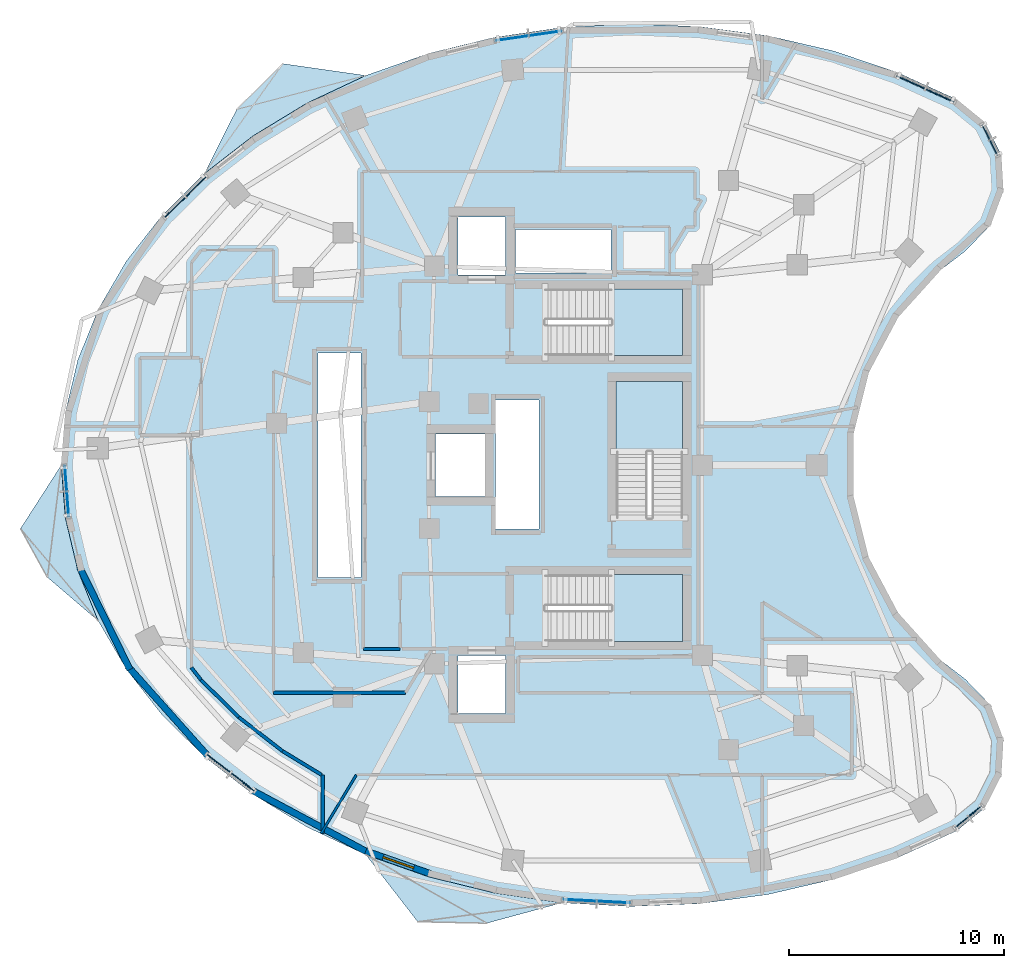
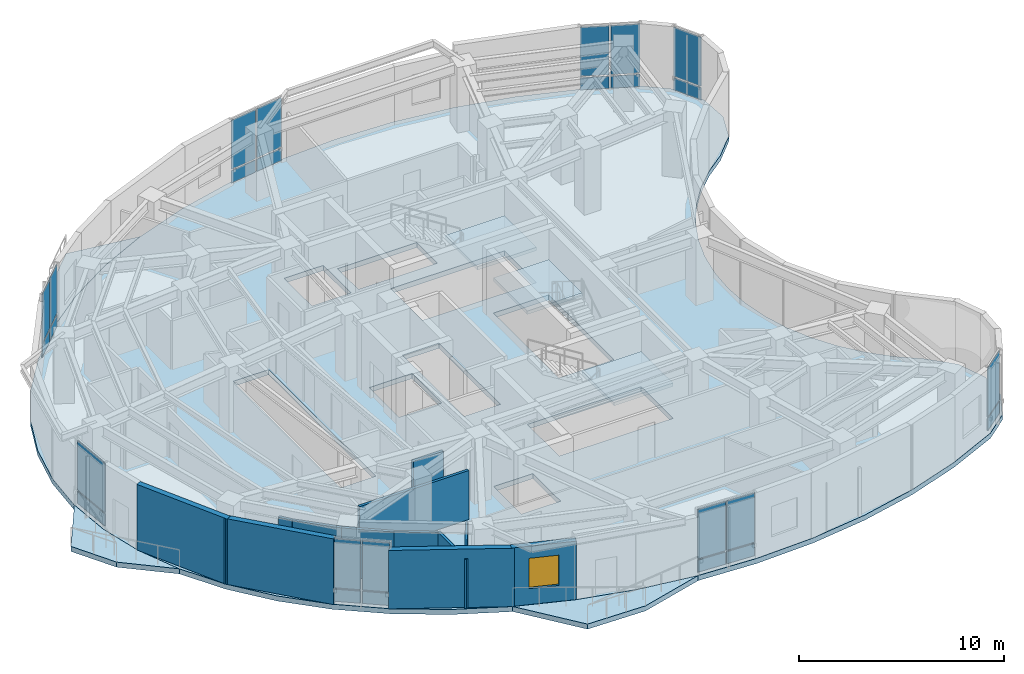
# One storey, part 6 of 13: 26 plates, 12 walls, 7 slabs, 1 window, 1 opening, 11 elements without a shape of their own.
"""IFC4 building model written with IfcOpenShell, lengths in metres."""

from ifc_helpers import new_model, si_unit, direction, frame, frame_2d, origin, origin_2d, place, context, subcontext, project, spatial, polyline, rectangle, outline, extrude, material, layer, layer_set, type_object, element, fill, aggregate, save


model = new_model("IFC4")

# Units and contexts
model_context = context("Model", 3, precision=1e-05, world=origin(), true_north=direction((0.0, 1.0)))
body_context = subcontext(model_context, "Body", "Model", "MODEL_VIEW")
ifc_project = project(units=[si_unit("LENGTHUNIT", "METRE"), si_unit("AREAUNIT", "SQUARE_METRE"), si_unit("VOLUMEUNIT", "CUBIC_METRE"), si_unit("PLANEANGLEUNIT", "RADIAN"), si_unit("MASSUNIT", "GRAM", prefix="KILO")], contexts=[model_context])

# Site, building, storey
site_placement = place(None, origin())
site = spatial("IfcSite", under=ifc_project, at=site_placement, CompositionType="ELEMENT")
building_placement = place(site_placement, origin())
building = spatial("IfcBuilding", under=site, at=building_placement, Name="Korentha Bioscience Tower", CompositionType="ELEMENT")
storey_placement = place(building_placement, frame((0.0, 0.0, 192.0)))
storey = spatial("IfcBuildingStorey", under=building, at=storey_placement, Name="L44", CompositionType="ELEMENT", Elevation=192.0)

# Curtain wall, plates
ifc_material_1 = material(Name="Thermally Broken Aluminium Frame", Category="aluminium")
ifc_layer_1 = layer(ifc_material_1, 0.219970703125, Name="Thermally Broken Aluminium Frame")
ifc_layer_set_1 = layer_set([ifc_layer_1], Name="Thermally Broken Aluminium Frame (CW-T2)")
curtain_wall_type = type_object("IfcCurtainWallType", Name="Solar-Screened Lab Unitised Curtain Wall CW-T2", PredefinedType="USERDEFINED", material=ifc_layer_set_1)
curtain_wall_1_placement = place(storey_placement, origin())
curtain_wall_1 = element("IfcCurtainWall", 1, at=curtain_wall_1_placement, inside=storey, type_object=curtain_wall_type, Name="L44 Curtain Wall 01", ObjectType="UNITISED", PredefinedType="USERDEFINED")
ifc_material_2 = material(Name="Triple-Glazed Low-E Insulated Glass", Category="glass")
ifc_layer_2 = layer(ifc_material_2, 0.0439453125, Name="Triple-Glazed Low-E Insulated Glass")
ifc_layer_set_2 = layer_set([ifc_layer_2], Name="Triple-Glazed Low-E Insulated Glass (GL-44)")
plate_type = type_object("IfcPlateType", Name="Glazed Panel 44mm", PredefinedType="CURTAIN_PANEL", material=ifc_layer_set_2)
plate_1_placement = place(storey_placement, frame((48.625732421875, 44.190673828125, 0.08984375), z_axis=(0.0, 0.0, 1.0), x_axis=(-0.910644398392, 0.413190972406, 0.0)))
plate_1 = element("IfcPlate", 2, at=plate_1_placement, type_object=plate_type, Name="CW-L44-01 Bay 1 Glazed Panel 1", PredefinedType="CURTAIN_PANEL", context=body_context, shape_type="SweptSolid", body=[
    extrude(rectangle(XDim=1.422607421875, YDim=0.0439453125, at=origin_2d()), origin(), (0.0, 0.0, 1.0), 0.715087890625),
])
plate_2_placement = place(storey_placement, frame((48.625732421875, 44.190673828125, 0.89501953125), z_axis=(0.0, 0.0, 1.0), x_axis=(-0.910644398392, 0.413190972406, 0.0)))
plate_2 = element("IfcPlate", 3, at=plate_2_placement, type_object=plate_type, Name="CW-L44-01 Bay 1 Glazed Panel 2", PredefinedType="CURTAIN_PANEL", context=body_context, shape_type="SweptSolid", body=[
    extrude(rectangle(XDim=1.422607421875, YDim=0.0439453125, at=origin_2d()), origin(), (0.0, 0.0, 1.0), 2.9150390625),
])
plate_3_placement = place(storey_placement, frame((47.248291015625, 44.815673828125, 0.08984375), z_axis=(0.0, 0.0, 1.0), x_axis=(-0.910644398392, 0.413190972406, 0.0)))
plate_3 = element("IfcPlate", 4, at=plate_3_placement, type_object=plate_type, Name="CW-L44-01 Bay 2 Glazed Panel 1", PredefinedType="CURTAIN_PANEL", context=body_context, shape_type="SweptSolid", body=[
    extrude(rectangle(XDim=1.422607421875, YDim=0.0439453125, at=origin_2d()), origin(), (0.0, 0.0, 1.0), 0.715087890625),
])
plate_4_placement = place(storey_placement, frame((47.248291015625, 44.815673828125, 0.89501953125), z_axis=(0.0, 0.0, 1.0), x_axis=(-0.910644398392, 0.413190972406, 0.0)))
plate_4 = element("IfcPlate", 5, at=plate_4_placement, type_object=plate_type, Name="CW-L44-01 Bay 2 Glazed Panel 2", PredefinedType="CURTAIN_PANEL", context=body_context, shape_type="SweptSolid", body=[
    extrude(rectangle(XDim=1.422607421875, YDim=0.0439453125, at=origin_2d()), origin(), (0.0, 0.0, 1.0), 2.9150390625),
])
aggregate(curtain_wall_1, [plate_1, plate_2, plate_3, plate_4])

curtain_wall_2_placement = place(storey_placement, origin())
curtain_wall_2 = element("IfcCurtainWall", 6, at=curtain_wall_2_placement, inside=storey, type_object=curtain_wall_type, Name="L44 Curtain Wall 07", ObjectType="UNITISED", PredefinedType="USERDEFINED")
plate_5_placement = place(storey_placement, frame((30.27099609375, 47.090087890625, 0.08984375), z_axis=(0.0, 0.0, 1.0), x_axis=(-0.989461919888, -0.144793332342, 0.0)))
plate_5 = element("IfcPlate", 7, at=plate_5_placement, type_object=plate_type, Name="CW-L44-07 Bay 1 Glazed Panel 1", PredefinedType="CURTAIN_PANEL", context=body_context, shape_type="SweptSolid", body=[
    extrude(rectangle(XDim=1.498291015625, YDim=0.0439453125, at=origin_2d()), origin(), (0.0, 0.0, 1.0), 0.715087890625),
])
plate_6_placement = place(storey_placement, frame((30.27099609375, 47.090087890625, 0.89501953125), z_axis=(0.0, 0.0, 1.0), x_axis=(-0.989461919888, -0.144793332342, 0.0)))
plate_6 = element("IfcPlate", 8, at=plate_6_placement, type_object=plate_type, Name="CW-L44-07 Bay 1 Glazed Panel 2", PredefinedType="CURTAIN_PANEL", context=body_context, shape_type="SweptSolid", body=[
    extrude(rectangle(XDim=1.498291015625, YDim=0.0439453125, at=origin_2d()), origin(), (0.0, 0.0, 1.0), 2.9150390625),
])
plate_7_placement = place(storey_placement, frame((28.69921875, 46.860107421875, 0.08984375), z_axis=(0.0, 0.0, 1.0), x_axis=(-0.989461919888, -0.144793332342, 0.0)))
plate_7 = element("IfcPlate", 9, at=plate_7_placement, type_object=plate_type, Name="CW-L44-07 Bay 2 Glazed Panel 1", PredefinedType="CURTAIN_PANEL", context=body_context, shape_type="SweptSolid", body=[
    extrude(rectangle(XDim=1.498291015625, YDim=0.0439453125, at=origin_2d()), origin(), (0.0, 0.0, 1.0), 0.715087890625),
])
plate_8_placement = place(storey_placement, frame((28.69921875, 46.860107421875, 0.89501953125), z_axis=(0.0, 0.0, 1.0), x_axis=(-0.989461919888, -0.144793332342, 0.0)))
plate_8 = element("IfcPlate", 10, at=plate_8_placement, type_object=plate_type, Name="CW-L44-07 Bay 2 Glazed Panel 2", PredefinedType="CURTAIN_PANEL", context=body_context, shape_type="SweptSolid", body=[
    extrude(rectangle(XDim=1.498291015625, YDim=0.0439453125, at=origin_2d()), origin(), (0.0, 0.0, 1.0), 2.9150390625),
])
aggregate(curtain_wall_2, [plate_5, plate_6, plate_7, plate_8])

curtain_wall_3_placement = place(storey_placement, origin())
curtain_wall_3 = element("IfcCurtainWall", 11, at=curtain_wall_3_placement, inside=storey, type_object=curtain_wall_type, Name="L44 Curtain Wall 13", ObjectType="UNITISED", PredefinedType="USERDEFINED")
plate_9_placement = place(storey_placement, frame((14.00830078125, 39.957763671875, 0.08984375), z_axis=(0.0, 0.0, 1.0), x_axis=(-0.711460557971, -0.702726030862, 0.0)))
plate_9 = element("IfcPlate", 12, at=plate_9_placement, type_object=plate_type, Name="CW-L44-13 Bay 1 Glazed Panel 1", PredefinedType="CURTAIN_PANEL", context=body_context, shape_type="SweptSolid", body=[
    extrude(rectangle(XDim=1.290283203125, YDim=0.0439453125, at=origin_2d()), origin(), (0.0, 0.0, 1.0), 0.715087890625),
])
plate_10_placement = place(storey_placement, frame((14.00830078125, 39.957763671875, 0.89501953125), z_axis=(0.0, 0.0, 1.0), x_axis=(-0.711460557971, -0.702726030862, 0.0)))
plate_10 = element("IfcPlate", 13, at=plate_10_placement, type_object=plate_type, Name="CW-L44-13 Bay 1 Glazed Panel 2", PredefinedType="CURTAIN_PANEL", context=body_context, shape_type="SweptSolid", body=[
    extrude(rectangle(XDim=1.290283203125, YDim=0.0439453125, at=origin_2d()), origin(), (0.0, 0.0, 1.0), 2.9150390625),
])
plate_11_placement = place(storey_placement, frame((13.0263671875, 38.98779296875, 0.08984375), z_axis=(0.0, 0.0, 1.0), x_axis=(-0.711460557971, -0.702726030862, 0.0)))
plate_11 = element("IfcPlate", 14, at=plate_11_placement, type_object=plate_type, Name="CW-L44-13 Bay 2 Glazed Panel 1", PredefinedType="CURTAIN_PANEL", context=body_context, shape_type="SweptSolid", body=[
    extrude(rectangle(XDim=1.290283203125, YDim=0.0439453125, at=origin_2d()), origin(), (0.0, 0.0, 1.0), 0.715087890625),
])
plate_12_placement = place(storey_placement, frame((13.0263671875, 38.98779296875, 0.89501953125), z_axis=(0.0, 0.0, 1.0), x_axis=(-0.711460557971, -0.702726030862, 0.0)))
plate_12 = element("IfcPlate", 15, at=plate_12_placement, type_object=plate_type, Name="CW-L44-13 Bay 2 Glazed Panel 2", PredefinedType="CURTAIN_PANEL", context=body_context, shape_type="SweptSolid", body=[
    extrude(rectangle(XDim=1.290283203125, YDim=0.0439453125, at=origin_2d()), origin(), (0.0, 0.0, 1.0), 2.9150390625),
])
aggregate(curtain_wall_3, [plate_9, plate_10, plate_11, plate_12])

curtain_wall_4_placement = place(storey_placement, origin())
curtain_wall_4 = element("IfcCurtainWall", 16, at=curtain_wall_4_placement, inside=storey, type_object=curtain_wall_type, Name="L44 Curtain Wall 19", ObjectType="UNITISED", PredefinedType="USERDEFINED")
plate_13_placement = place(storey_placement, frame((7.991943359375, 25.781005859375, 0.08984375), z_axis=(0.0, 0.0, 1.0), x_axis=(0.078030772566, -0.996950950916, 0.0)))
plate_13 = element("IfcPlate", 17, at=plate_13_placement, type_object=plate_type, Name="CW-L44-19 Bay 1 Glazed Panel 1", PredefinedType="CURTAIN_PANEL", context=body_context, shape_type="SweptSolid", body=[
    extrude(rectangle(XDim=2.370361328125, YDim=0.0439453125, at=origin_2d()), origin(), (0.0, 0.0, 1.0), 0.715087890625),
])
plate_14_placement = place(storey_placement, frame((7.991943359375, 25.781005859375, 0.89501953125), z_axis=(0.0, 0.0, 1.0), x_axis=(0.078030772566, -0.996950950916, 0.0)))
plate_14 = element("IfcPlate", 18, at=plate_14_placement, type_object=plate_type, Name="CW-L44-19 Bay 1 Glazed Panel 2", PredefinedType="CURTAIN_PANEL", context=body_context, shape_type="SweptSolid", body=[
    extrude(rectangle(XDim=2.370361328125, YDim=0.0439453125, at=origin_2d()), origin(), (0.0, 0.0, 1.0), 2.9150390625),
])
aggregate(curtain_wall_4, [plate_13, plate_14])

curtain_wall_5_placement = place(storey_placement, origin())
curtain_wall_5 = element("IfcCurtainWall", 19, at=curtain_wall_5_placement, inside=storey, type_object=curtain_wall_type, Name="L44 Curtain Wall 25", ObjectType="UNITISED", PredefinedType="USERDEFINED")
plate_15_placement = place(storey_placement, frame((15.0556640625, 13.126953125, 0.08984375), z_axis=(0.0, 0.0, 1.0), x_axis=(0.790546796919, -0.612401634454, 0.0)))
plate_15 = element("IfcPlate", 20, at=plate_15_placement, type_object=plate_type, Name="CW-L44-25 Bay 1 Glazed Panel 1", PredefinedType="CURTAIN_PANEL", context=body_context, shape_type="SweptSolid", body=[
    extrude(rectangle(XDim=1.3349609375, YDim=0.0439453125, at=origin_2d()), origin(), (0.0, 0.0, 1.0), 0.715087890625),
])
plate_16_placement = place(storey_placement, frame((15.0556640625, 13.126953125, 0.89501953125), z_axis=(0.0, 0.0, 1.0), x_axis=(0.790546796919, -0.612401634454, 0.0)))
plate_16 = element("IfcPlate", 21, at=plate_16_placement, type_object=plate_type, Name="CW-L44-25 Bay 1 Glazed Panel 2", PredefinedType="CURTAIN_PANEL", context=body_context, shape_type="SweptSolid", body=[
    extrude(rectangle(XDim=1.3349609375, YDim=0.0439453125, at=origin_2d()), origin(), (0.0, 0.0, 1.0), 2.9150390625),
])
plate_17_placement = place(storey_placement, frame((16.18212890625, 12.25439453125, 0.08984375), z_axis=(0.0, 0.0, 1.0), x_axis=(0.790546796919, -0.612401634454, 0.0)))
plate_17 = element("IfcPlate", 22, at=plate_17_placement, type_object=plate_type, Name="CW-L44-25 Bay 2 Glazed Panel 1", PredefinedType="CURTAIN_PANEL", context=body_context, shape_type="SweptSolid", body=[
    extrude(rectangle(XDim=1.3349609375, YDim=0.0439453125, at=origin_2d()), origin(), (0.0, 0.0, 1.0), 0.715087890625),
])
plate_18_placement = place(storey_placement, frame((16.18212890625, 12.25439453125, 0.89501953125), z_axis=(0.0, 0.0, 1.0), x_axis=(0.790546796919, -0.612401634454, 0.0)))
plate_18 = element("IfcPlate", 23, at=plate_18_placement, type_object=plate_type, Name="CW-L44-25 Bay 2 Glazed Panel 2", PredefinedType="CURTAIN_PANEL", context=body_context, shape_type="SweptSolid", body=[
    extrude(rectangle(XDim=1.3349609375, YDim=0.0439453125, at=origin_2d()), origin(), (0.0, 0.0, 1.0), 2.9150390625),
])
aggregate(curtain_wall_5, [plate_15, plate_16, plate_17, plate_18])

curtain_wall_6_placement = place(storey_placement, origin())
curtain_wall_6 = element("IfcCurtainWall", 24, at=curtain_wall_6_placement, inside=storey, type_object=curtain_wall_type, Name="L44 Curtain Wall 31", ObjectType="UNITISED", PredefinedType="USERDEFINED")
plate_19_placement = place(storey_placement, frame((31.849853515625, 6.75390625, 0.08984375), z_axis=(0.0, 0.0, 1.0), x_axis=(0.998637677307, -0.052180355139, 0.0)))
plate_19 = element("IfcPlate", 25, at=plate_19_placement, type_object=plate_type, Name="CW-L44-31 Bay 1 Glazed Panel 1", PredefinedType="CURTAIN_PANEL", context=body_context, shape_type="SweptSolid", body=[
    extrude(rectangle(XDim=1.50830078125, YDim=0.0439453125, at=origin_2d()), origin(), (0.0, 0.0, 1.0), 0.715087890625),
])
plate_20_placement = place(storey_placement, frame((31.849853515625, 6.75390625, 0.89501953125), z_axis=(0.0, 0.0, 1.0), x_axis=(0.998637677307, -0.052180355139, 0.0)))
plate_20 = element("IfcPlate", 26, at=plate_20_placement, type_object=plate_type, Name="CW-L44-31 Bay 1 Glazed Panel 2", PredefinedType="CURTAIN_PANEL", context=body_context, shape_type="SweptSolid", body=[
    extrude(rectangle(XDim=1.50830078125, YDim=0.0439453125, at=origin_2d()), origin(), (0.0, 0.0, 1.0), 2.9150390625),
])
plate_21_placement = place(storey_placement, frame((33.446044921875, 6.67041015625, 0.08984375), z_axis=(0.0, 0.0, 1.0), x_axis=(0.998637677307, -0.052180355139, 0.0)))
plate_21 = element("IfcPlate", 27, at=plate_21_placement, type_object=plate_type, Name="CW-L44-31 Bay 2 Glazed Panel 1", PredefinedType="CURTAIN_PANEL", context=body_context, shape_type="SweptSolid", body=[
    extrude(rectangle(XDim=1.50830078125, YDim=0.0439453125, at=origin_2d()), origin(), (0.0, 0.0, 1.0), 0.715087890625),
])
plate_22_placement = place(storey_placement, frame((33.446044921875, 6.67041015625, 0.89501953125), z_axis=(0.0, 0.0, 1.0), x_axis=(0.998637677307, -0.052180355139, 0.0)))
plate_22 = element("IfcPlate", 28, at=plate_22_placement, type_object=plate_type, Name="CW-L44-31 Bay 2 Glazed Panel 2", PredefinedType="CURTAIN_PANEL", context=body_context, shape_type="SweptSolid", body=[
    extrude(rectangle(XDim=1.50830078125, YDim=0.0439453125, at=origin_2d()), origin(), (0.0, 0.0, 1.0), 2.9150390625),
])
aggregate(curtain_wall_6, [plate_19, plate_20, plate_21, plate_22])

curtain_wall_7_placement = place(storey_placement, origin())
curtain_wall_7 = element("IfcCurtainWall", 29, at=curtain_wall_7_placement, inside=storey, type_object=curtain_wall_type, Name="L44 Curtain Wall 37", ObjectType="UNITISED", PredefinedType="USERDEFINED")
plate_23_placement = place(storey_placement, frame((49.938720703125, 10.637451171875, 0.08984375), z_axis=(0.0, 0.0, 1.0), x_axis=(0.77425646139, 0.632871971251, 0.0)))
plate_23 = element("IfcPlate", 30, at=plate_23_placement, type_object=plate_type, Name="CW-L44-37 Bay 1 Glazed Panel 1", PredefinedType="CURTAIN_PANEL", context=body_context, shape_type="SweptSolid", body=[
    extrude(rectangle(XDim=1.591796875, YDim=0.0439453125, at=origin_2d()), origin(), (0.0, 0.0, 1.0), 0.715087890625),
])
plate_24_placement = place(storey_placement, frame((49.938720703125, 10.637451171875, 0.89501953125), z_axis=(0.0, 0.0, 1.0), x_axis=(0.77425646139, 0.632871971251, 0.0)))
plate_24 = element("IfcPlate", 31, at=plate_24_placement, type_object=plate_type, Name="CW-L44-37 Bay 1 Glazed Panel 2", PredefinedType="CURTAIN_PANEL", context=body_context, shape_type="SweptSolid", body=[
    extrude(rectangle(XDim=1.591796875, YDim=0.0439453125, at=origin_2d()), origin(), (0.0, 0.0, 1.0), 2.9150390625),
])
aggregate(curtain_wall_7, [plate_23, plate_24])

curtain_wall_8_placement = place(storey_placement, origin())
curtain_wall_8 = element("IfcCurtainWall", 32, at=curtain_wall_8_placement, inside=storey, type_object=curtain_wall_type, Name="L44 Curtain Wall 61", ObjectType="UNITISED", PredefinedType="USERDEFINED")
plate_25_placement = place(storey_placement, frame((50.936767578125, 42.124755859375, 0.08984375), z_axis=(0.0, 0.0, 1.0), x_axis=(-0.45428845847, 0.890854643868, 0.0)))
plate_25 = element("IfcPlate", 33, at=plate_25_placement, type_object=plate_type, Name="CW-L44-61 Bay 1 Glazed Panel 1", PredefinedType="CURTAIN_PANEL", context=body_context, shape_type="SweptSolid", body=[
    extrude(rectangle(XDim=1.591796875, YDim=0.0439453125, at=origin_2d()), origin(), (0.0, 0.0, 1.0), 0.715087890625),
])
plate_26_placement = place(storey_placement, frame((50.936767578125, 42.124755859375, 0.89501953125), z_axis=(0.0, 0.0, 1.0), x_axis=(-0.45428845847, 0.890854643868, 0.0)))
plate_26 = element("IfcPlate", 34, at=plate_26_placement, type_object=plate_type, Name="CW-L44-61 Bay 1 Glazed Panel 2", PredefinedType="CURTAIN_PANEL", context=body_context, shape_type="SweptSolid", body=[
    extrude(rectangle(XDim=1.591796875, YDim=0.0439453125, at=origin_2d()), origin(), (0.0, 0.0, 1.0), 2.9150390625),
])
aggregate(curtain_wall_8, [plate_25, plate_26])

# Slab
ifc_material_3 = material(Name="Concrete C50", Category="concrete")
ifc_layer_3 = layer(ifc_material_3, 0.300048828125, Name="Concrete C50")
ifc_layer_set_3 = layer_set([ifc_layer_3], Name="Concrete C50 (SL-L300)")
slab_type_1 = type_object("IfcSlabType", Name="Laboratory Vibration-Controlled Slab 300", PredefinedType="FLOOR", material=ifc_layer_set_3)
slab_1_placement = place(storey_placement, frame((0.0, 0.0, -0.300048828125)))
element("IfcSlab", 35, at=slab_1_placement, inside=storey, type_object=slab_type_1, Name="L44 Tower Structural Floor Slab", PredefinedType="FLOOR", context=body_context, shape_type="SweptSolid", body=[
    extrude(outline(polyline([(49.38525390625, 44.021728515625), (46.62109375, 45.27587890625), (43.681396484375, 46.266357421875), (40.608154296875, 46.978515625), (37.446044921875, 47.40234375), (34.24072265625, 47.531494140625), (31.038330078125, 47.364013671875), (27.88525390625, 46.902587890625), (24.826904296875, 46.154052734375), (21.907470703125, 45.128662109375), (19.169189453125, 43.841552734375), (16.6513671875, 42.311279296875), (14.390380859375, 40.56005859375), (12.419189453125, 38.613037109375), (10.76611328125, 36.498291015625), (9.454833984375, 34.246337890625), (8.504638671875, 31.889892578125), (7.9287109375, 29.462646484375), (7.736083984375, 27.0), (7.9287109375, 24.537353515625), (8.504638671875, 22.110107421875), (9.454833984375, 19.753662109375), (10.76611328125, 17.501708984375), (12.419189453125, 15.386962890625), (14.390380859375, 13.43994140625), (16.6513671875, 11.688720703125), (19.169189453125, 10.158447265625), (21.907470703125, 8.871337890625), (24.826904296875, 7.845947265625), (27.88525390625, 7.097412109375), (31.038330078125, 6.635986328125), (34.24072265625, 6.468505859375), (37.446044921875, 6.59765625), (40.608154296875, 7.021484375), (43.681396484375, 7.733642578125), (46.62109375, 8.72412109375), (49.38525390625, 9.978271484375), (50.695068359375, 11.048828125), (51.46337890625, 12.55615234375), (51.560791015625, 14.2451171875), (50.970458984375, 15.83056640625), (49.792236328125, 17.044677734375), (48.629150390625, 17.937255859375), (47.583251953125, 18.96484375), (46.670654296875, 20.1123046875), (45.904541015625, 21.3623046875), (45.29638671875, 22.696533203125), (44.855712890625, 24.094970703125), (44.58837890625, 25.53662109375), (44.498779296875, 27.0), (44.58837890625, 28.46337890625), (44.855712890625, 29.905029296875), (45.29638671875, 31.303466796875), (45.904541015625, 32.6376953125), (46.670654296875, 33.8876953125), (47.583251953125, 35.03515625), (48.629150390625, 36.062744140625), (49.792236328125, 36.955322265625), (50.970458984375, 38.16943359375), (51.560791015625, 39.7548828125), (51.46337890625, 41.44384765625), (50.695068359375, 42.951171875), (49.38525390625, 44.021728515625)]), holes=[polyline([(30.25, 32.10009765625), (36.64990234375, 32.10009765625), (36.64990234375, 35.199951171875), (30.25, 35.199951171875), (30.25, 32.10009765625)]), polyline([(30.25, 18.800048828125), (36.64990234375, 18.800048828125), (36.64990234375, 21.89990234375), (30.25, 21.89990234375), (30.25, 18.800048828125)]), polyline([(36.64990234375, 24.550048828125), (36.64990234375, 30.89990234375), (33.550048828125, 30.89990234375), (33.550048828125, 24.550048828125), (36.64990234375, 24.550048828125)]), polyline([(19.679931640625, 21.780029296875), (21.669921875, 21.780029296875), (21.669921875, 32.219970703125), (19.679931640625, 32.219970703125), (19.679931640625, 21.780029296875)]), polyline([(27.929931640625, 24.030029296875), (29.969970703125, 24.030029296875), (29.969970703125, 30.02001953125), (27.929931640625, 30.02001953125), (27.929931640625, 24.030029296875)]), polyline([(28.860107421875, 35.93994140625), (33.31005859375, 35.93994140625), (33.31005859375, 37.9599609375), (28.860107421875, 37.9599609375), (28.860107421875, 35.93994140625)]), polyline([(26.199951171875, 15.449951171875), (28.39990234375, 15.449951171875), (28.39990234375, 18.14990234375), (26.199951171875, 18.14990234375), (26.199951171875, 15.449951171875)]), polyline([(26.199951171875, 35.85009765625), (28.39990234375, 35.85009765625), (28.39990234375, 38.550048828125), (26.199951171875, 38.550048828125), (26.199951171875, 35.85009765625)]), polyline([(25.14990234375, 25.550048828125), (27.550048828125, 25.550048828125), (27.550048828125, 28.449951171875), (25.14990234375, 28.449951171875), (25.14990234375, 25.550048828125)])]), origin(), (0.0, 0.0, 1.0), 0.300048828125),
])

# Stair, slab
ifc_material_4 = material(Name="Precast Concrete C50", Category="concrete")
stair_type = type_object("IfcStairType", Name="Core Exit Dog-Leg Stair 1450", PredefinedType="HALF_TURN_STAIR", material=ifc_material_4)
stair_1_placement = place(storey_placement, origin())
stair_1 = element("IfcStair", 36, at=stair_1_placement, inside=storey, type_object=stair_type, Name="L44 Tower North Pressurized Exit Stair ST-1", PredefinedType="HALF_TURN_STAIR")
ifc_layer_4 = layer(ifc_material_3, 0.199951171875, Name="Concrete C50")
ifc_layer_set_4 = layer_set([ifc_layer_4], Name="Concrete C50 (SL-LND)")
slab_type_2 = type_object("IfcSlabType", Name="Landing Slab 200", PredefinedType="LANDING", material=ifc_layer_set_4)
slab_2_placement = place(storey_placement, frame((0.0, 0.0, 1.89990234375)))
slab_2 = element("IfcSlab", 37, at=slab_2_placement, type_object=slab_type_2, Name="ST-1 landing 1", PredefinedType="LANDING", context=body_context, shape_type="SweptSolid", body=[
    extrude(outline(polyline([(33.330078125, 32.10009765625), (36.64990234375, 32.10009765625), (36.64990234375, 35.199951171875), (33.330078125, 35.199951171875), (33.330078125, 32.10009765625)])), origin(), (0.0, 0.0, 1.0), 0.2001953125),
])
aggregate(stair_1, [slab_2])

stair_2_placement = place(storey_placement, origin())
stair_2 = element("IfcStair", 38, at=stair_2_placement, inside=storey, type_object=stair_type, Name="L44 Tower South Pressurized Exit Stair ST-2", PredefinedType="HALF_TURN_STAIR")
slab_3_placement = place(storey_placement, frame((0.0, 0.0, 1.89990234375)))
slab_3 = element("IfcSlab", 39, at=slab_3_placement, type_object=slab_type_2, Name="ST-2 landing 1", PredefinedType="LANDING", context=body_context, shape_type="SweptSolid", body=[
    extrude(outline(polyline([(33.330078125, 18.800048828125), (36.64990234375, 18.800048828125), (36.64990234375, 21.89990234375), (33.330078125, 21.89990234375), (33.330078125, 18.800048828125)])), origin(), (0.0, 0.0, 1.0), 0.2001953125),
])
aggregate(stair_2, [slab_3])

stair_3_placement = place(storey_placement, origin())
stair_3 = element("IfcStair", 40, at=stair_3_placement, inside=storey, type_object=stair_type, Name="L44 Tower Central Pressurized Exit Stair ST-3", PredefinedType="HALF_TURN_STAIR")
slab_4_placement = place(storey_placement, frame((0.0, 0.0, 1.89990234375)))
slab_4 = element("IfcSlab", 41, at=slab_4_placement, type_object=slab_type_2, Name="ST-3 landing 1", PredefinedType="LANDING", context=body_context, shape_type="SweptSolid", body=[
    extrude(outline(polyline([(36.64990234375, 27.6298828125), (36.64990234375, 30.89990234375), (33.550048828125, 30.89990234375), (33.550048828125, 27.6298828125), (36.64990234375, 27.6298828125)])), origin(), (0.0, 0.0, 1.0), 0.2001953125),
])
aggregate(stair_3, [slab_4])

# Slabs
ifc_layer_5 = layer(ifc_material_3, 0.300048828125, Name="Concrete C50")
ifc_layer_set_5 = layer_set([ifc_layer_5], Name="Concrete C50 (BS-240)")
slab_type_3 = type_object("IfcSlabType", Name="Sawtooth Sun-Ledge Balcony Slab 240", PredefinedType="USERDEFINED", material=ifc_layer_set_5)
slab_5_placement = place(storey_placement, frame((0.0, 0.0, -0.300048828125)))
element("IfcSlab", 42, at=slab_5_placement, inside=storey, type_object=slab_type_3, Name="L44 Sun-Ledge Balcony 01", ObjectType="BALCONY", PredefinedType="USERDEFINED", context=body_context, shape_type="SweptSolid", body=[
    extrude(outline(polyline([(14.390380859375, 40.56005859375), (16.6513671875, 42.311279296875), (19.169189453125, 43.841552734375), (21.907470703125, 45.128662109375), (18.052490234375, 45.678955078125), (15.898193359375, 43.550537109375), (14.390380859375, 40.56005859375)])), origin(), (0.0, 0.0, 1.0), 0.300048828125),
])
slab_6_placement = place(storey_placement, frame((0.0, 0.0, -0.300048828125)))
element("IfcSlab", 43, at=slab_6_placement, inside=storey, type_object=slab_type_3, Name="L44 Sun-Ledge Balcony 02", ObjectType="BALCONY", PredefinedType="USERDEFINED", context=body_context, shape_type="SweptSolid", body=[
    extrude(outline(polyline([(9.454833984375, 19.753662109375), (8.504638671875, 22.110107421875), (7.9287109375, 24.537353515625), (7.736083984375, 27.0), (5.8369140625, 24.041015625), (7.09375, 21.775390625), (9.454833984375, 19.753662109375)])), origin(), (0.0, 0.0, 1.0), 0.300048828125),
])
slab_7_placement = place(storey_placement, frame((0.0, 0.0, -0.300048828125)))
element("IfcSlab", 44, at=slab_7_placement, inside=storey, type_object=slab_type_3, Name="L44 Sun-Ledge Balcony 03", ObjectType="BALCONY", PredefinedType="USERDEFINED", context=body_context, shape_type="SweptSolid", body=[
    extrude(outline(polyline([(31.038330078125, 6.635986328125), (27.88525390625, 7.097412109375), (24.826904296875, 7.845947265625), (21.907470703125, 8.871337890625), (24.315673828125, 5.7578125), (27.54052734375, 5.68896484375), (31.038330078125, 6.635986328125)])), origin(), (0.0, 0.0, 1.0), 0.300048828125),
])

# Walls
ifc_material_5 = material(Name="Double-Stud Acoustic Gypsum", Category="gypsum")
ifc_layer_6 = layer(ifc_material_5, 0.14990234375, Name="Double-Stud Acoustic Gypsum")
ifc_layer_set_6 = layer_set([ifc_layer_6], Name="Double-Stud Acoustic Gypsum (IW-L150)")
wall_type_1 = type_object("IfcWallType", Name="Acoustic Laboratory Partition Wall 150", PredefinedType="PARTITIONING", material=ifc_layer_set_6)
wall_1_placement = place(storey_placement, frame((13.7919921875, 17.576416015625, 0.0), z_axis=(0.0, 0.0, 1.0), x_axis=(0.615925776879, -0.787804187204, 0.0)))
element("IfcWall", 45, at=wall_1_placement, inside=storey, type_object=wall_type_1, Name="L44 Interior Partition 020", PredefinedType="PARTITIONING", context=body_context, shape_type="SweptSolid", body=[
    extrude(rectangle(XDim=0.722900390625, YDim=0.14990234375, at=frame_2d((0.361328125, 0.0))), origin(), (0.0, 0.0, 1.0), 2.909912109375),
])
wall_2_placement = place(storey_placement, frame((14.23828125, 17.005859375, 0.0), z_axis=(0.0, 0.0, 1.0), x_axis=(0.711447157113, -0.702739598027, 0.0)))
element("IfcWall", 46, at=wall_2_placement, inside=storey, type_object=wall_type_1, Name="L44 Interior Partition 021", PredefinedType="PARTITIONING", context=body_context, shape_type="SweptSolid", body=[
    extrude(rectangle(XDim=2.46728515625, YDim=0.14990234375, at=frame_2d((1.233642578125, 0.0))), origin(), (0.0, 0.0, 1.0), 2.909912109375),
])
wall_3_placement = place(storey_placement, frame((15.99462890625, 15.27099609375, 0.0), z_axis=(0.0, 0.0, 1.0), x_axis=(0.790550458789, -0.61239690733, 0.0)))
element("IfcWall", 47, at=wall_3_placement, inside=storey, type_object=wall_type_1, Name="L44 Interior Partition 022", PredefinedType="PARTITIONING", context=body_context, shape_type="SweptSolid", body=[
    extrude(rectangle(XDim=2.574951171875, YDim=0.14990234375, at=frame_2d((1.28759765625, 0.0))), origin(), (0.0, 0.0, 1.0), 2.909912109375),
])
wall_4_placement = place(storey_placement, frame((18.03125, 13.693603515625, 0.0), z_axis=(0.0, 0.0, 1.0), x_axis=(0.85454497186, -0.51937740716, 0.0)))
element("IfcWall", 48, at=wall_4_placement, inside=storey, type_object=wall_type_1, Name="L44 Interior Partition 023", PredefinedType="PARTITIONING", context=body_context, shape_type="SweptSolid", body=[
    extrude(rectangle(XDim=2.121826171875, YDim=0.14990234375, at=frame_2d((1.06103515625, 0.0))), origin(), (0.0, 0.0, 1.0), 2.909912109375),
])
wall_5_placement = place(storey_placement, frame((19.89794921875, 12.590087890625, 0.0), z_axis=(0.0, 0.0, 1.0), x_axis=(0.0, -1.0, 0.0)))
element("IfcWall", 49, at=wall_5_placement, inside=storey, type_object=wall_type_1, Name="L44 Interior Partition 024", PredefinedType="PARTITIONING", context=body_context, shape_type="SweptSolid", body=[
    extrude(rectangle(XDim=2.723876953125, YDim=0.14990234375, at=frame_2d((1.36181640625, 0.0))), origin(), (0.0, 0.0, 1.0), 2.909912109375),
])
wall_6_placement = place(storey_placement, frame((21.800048828125, 18.43994140625, 0.0), z_axis=(0.0, 0.0, 1.0), x_axis=(1.0, 0.0, 0.0)))
element("IfcWall", 50, at=wall_6_placement, inside=storey, type_object=wall_type_1, Name="L44 Interior Partition 027", PredefinedType="PARTITIONING", context=body_context, shape_type="SweptSolid", body=[
    extrude(rectangle(XDim=1.68994140625, YDim=0.14990234375, at=frame_2d((0.844970703125, 0.0))), origin(), (0.0, 0.0, 1.0), 2.909912109375),
])
wall_7_placement = place(storey_placement, frame((23.7548828125, 16.409912109375, 0.0), z_axis=(0.0, 0.0, 1.0), x_axis=(-1.0, 0.0, 0.0)))
element("IfcWall", 51, at=wall_7_placement, inside=storey, type_object=wall_type_1, Name="L44 Interior Partition 029", PredefinedType="PARTITIONING", context=body_context, shape_type="SweptSolid", body=[
    extrude(rectangle(XDim=6.144775390625, YDim=0.14990234375, at=frame_2d((3.072265625, 0.0))), origin(), (0.0, 0.0, 1.0), 2.909912109375),
])
ifc_material_6 = material(Name="Fire-Rated Framed Glass", Category="glass")
ifc_layer_7 = layer(ifc_material_6, 0.110107421875, Name="Fire-Rated Framed Glass")
ifc_layer_set_7 = layer_set([ifc_layer_7], Name="Fire-Rated Framed Glass (IW-G110)")
wall_type_2 = type_object("IfcWallType", Name="Demountable Glazed Office Partition 110", PredefinedType="MOVABLE", material=ifc_layer_set_7)
wall_8_placement = place(storey_placement, frame((19.830810546875, 9.87109375, 0.0), z_axis=(0.0, 0.0, 1.0), x_axis=(0.51499369767, 0.857193963675, 0.0)))
element("IfcWall", 52, at=wall_8_placement, inside=storey, type_object=wall_type_2, Name="L44 Interior Partition 031", PredefinedType="MOVABLE", context=body_context, shape_type="SweptSolid", body=[
    extrude(rectangle(XDim=3.171875, YDim=0.110107421875, at=frame_2d((1.5859375, 0.0))), origin(), (0.0, 0.0, 1.0), 2.909912109375),
])

# Wall, opening, window
ifc_material_7 = material(Name="Honed Limestone Precast Concrete C40", Category="masonry")
ifc_layer_8 = layer(ifc_material_7, 0.300048828125, Name="Honed Limestone Precast Concrete C40")
ifc_layer_set_8 = layer_set([ifc_layer_8], Name="Honed Limestone Precast Concrete C40 (EW-ST300)")
wall_type_3 = type_object("IfcWallType", Name="Honed Limestone Cavity Spandrel Wall 300", PredefinedType="STANDARD", material=ifc_layer_set_8)
wall_9_placement = place(storey_placement, frame((21.90380859375, 9.042236328125, 0.0), z_axis=(0.0, 0.0, 1.0), x_axis=(0.943495444321, -0.331385495377, 0.0)))
wall_9 = element("IfcWall", 53, at=wall_9_placement, inside=storey, type_object=wall_type_3, Name="L44 Honed Limestone Spandrel Wall 28", PredefinedType="STANDARD", context=body_context, shape_type="SweptSolid", body=[
    extrude(rectangle(XDim=3.21435546875, YDim=0.300048828125, at=frame_2d((1.607177734375, 0.0))), origin(), (0.0, 0.0, 1.0), 3.469970703125),
])
opening_placement = place(wall_9_placement, frame((0.857177734375, 0.0, 0.949951171875)))
opening = element("IfcOpeningElement", 54, at=opening_placement, cuts=wall_9, Name="Opening WN-02", PredefinedType="OPENING", context=body_context, shape_type="SweptSolid", body=[
    extrude(rectangle(XDim=1.5, YDim=1.800048828125, at=frame_2d((0.75, 0.89990234375))), frame((0.0, 0.1650390625, 0.0), z_axis=(0.0, -1.0, 0.0), x_axis=(1.0, 0.0, 0.0)), (0.0, 0.0, 1.0), 0.329833984375),
])
ifc_material_8 = material(Name="Thermally Broken Aluminium Triple Glazing", Category="aluminium")
window_type = type_object("IfcWindowType", Name="Acoustic Operable Office Window 1500x1800", PartitioningType="DOUBLE_PANEL_VERTICAL", PredefinedType="WINDOW", material=ifc_material_8)
window_placement = place(opening_placement, origin())
window = element("IfcWindow", 55, at=window_placement, inside=storey, type_object=window_type, Name="L44 Facade Window 28", OverallHeight=1.800048828125, OverallWidth=1.5, PartitioningType="DOUBLE_PANEL_VERTICAL", PredefinedType="WINDOW", context=body_context, shape_type="SweptSolid", body=[
    extrude(rectangle(XDim=1.5, YDim=1.800048828125, at=frame_2d((0.75, 0.89990234375))), frame((0.0, 0.030029296875, 0.0), z_axis=(0.0, -1.0, 0.0), x_axis=(1.0, 0.0, 0.0)), (0.0, 0.0, 1.0), 0.06005859375),
])
fill(opening, window)

# Walls
wall_10_placement = place(storey_placement, frame((8.594970703125, 22.24365234375, 0.0), z_axis=(0.0, 0.0, 1.0), x_axis=(0.440559663002, -0.897723333403, 0.0)))
element("IfcWall", 56, at=wall_10_placement, inside=storey, type_object=wall_type_3, Name="L44 Limestone Perimeter Closure Wall 21", PredefinedType="STANDARD", context=body_context, shape_type="SweptSolid", body=[
    extrude(rectangle(XDim=5.29345703125, YDim=0.300048828125, at=frame_2d((2.646728515625, 0.0))), origin(), (0.0, 0.0, 1.0), 3.89990234375),
])
wall_11_placement = place(storey_placement, frame((10.8173828125, 17.654541015625, 0.0), z_axis=(0.0, 0.0, 1.0), x_axis=(0.665771576384, -0.74615561921, 0.0)))
element("IfcWall", 57, at=wall_11_placement, inside=storey, type_object=wall_type_3, Name="L44 Limestone Perimeter Closure Wall 23", PredefinedType="STANDARD", context=body_context, shape_type="SweptSolid", body=[
    extrude(rectangle(XDim=5.603515625, YDim=0.300048828125, at=frame_2d((2.8017578125, 0.0))), origin(), (0.0, 0.0, 1.0), 3.89990234375),
])
wall_12_placement = place(storey_placement, frame((16.64697265625, 11.849853515625, 0.0), z_axis=(0.0, 0.0, 1.0), x_axis=(0.881364369565, -0.472437136624, 0.0)))
element("IfcWall", 58, at=wall_12_placement, inside=storey, type_object=wall_type_3, Name="L44 Limestone Perimeter Closure Wall 26", PredefinedType="STANDARD", context=body_context, shape_type="SweptSolid", body=[
    extrude(rectangle(XDim=6.123779296875, YDim=0.300048828125, at=frame_2d((3.06201171875, 0.0))), origin(), (0.0, 0.0, 1.0), 3.469970703125),
])

save(model, "model.ifc")
